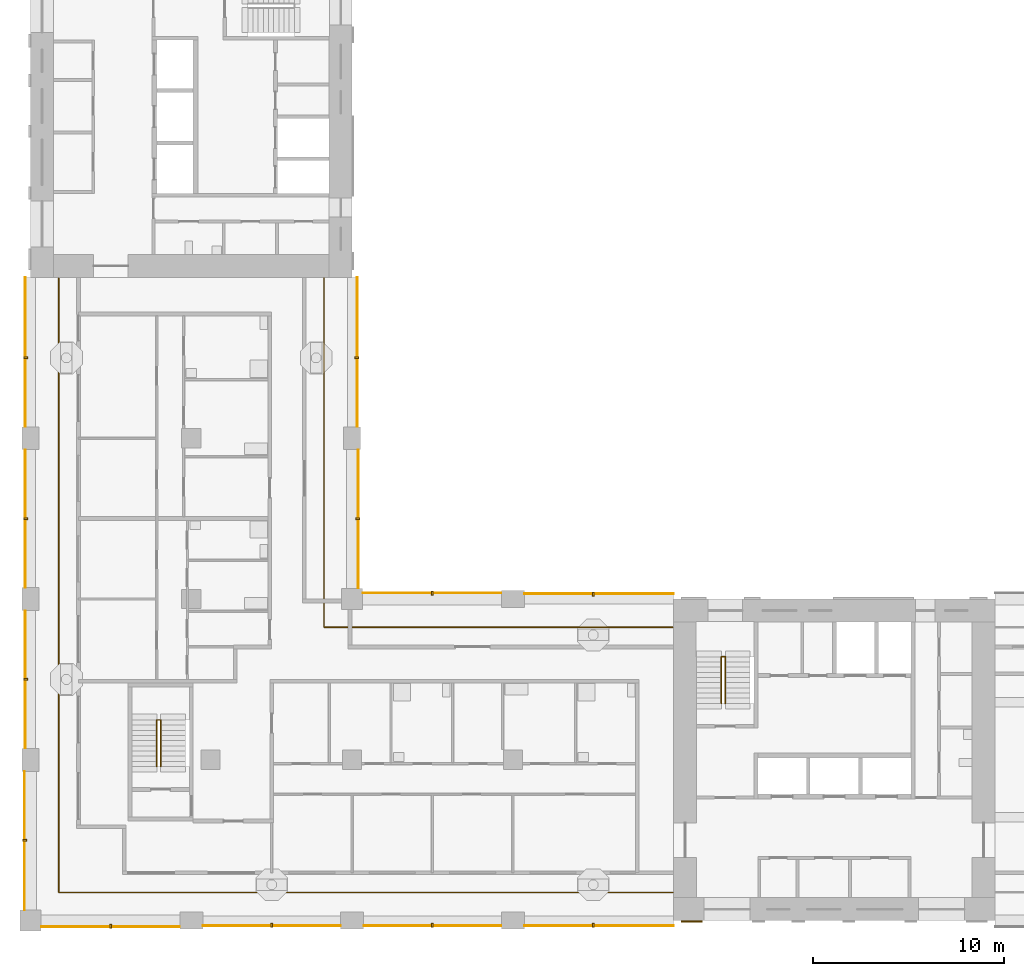
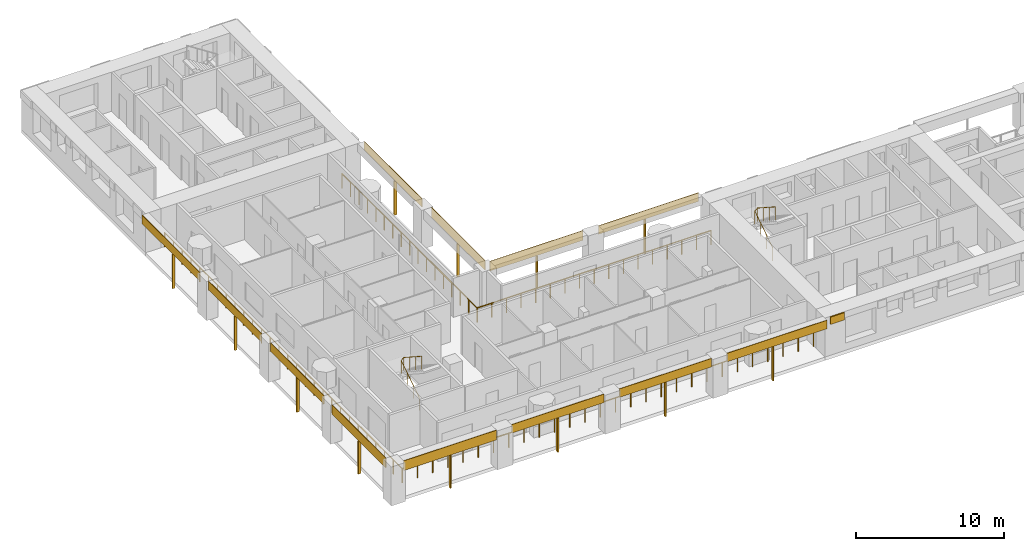
# One storey, part 8 of 13: 25 shading devices, 4 railings.
"""IFC4 building model written with IfcOpenShell, lengths in metres."""

from ifc_helpers import new_model, si_unit, direction, frame, origin, origin_2d, place, context, subcontext, project, spatial, rectangle, circle, extrude, material, layer, layer_set, material_profile, profile_set, type_object, element, save


model = new_model("IFC4")

# Units and contexts
model_context = context("Model", 3, precision=1e-05, world=origin(), true_north=direction((0.0, 1.0)))
body_context = subcontext(model_context, "Body", "Model", "MODEL_VIEW")
ifc_project = project(units=[si_unit("LENGTHUNIT", "METRE"), si_unit("AREAUNIT", "SQUARE_METRE"), si_unit("VOLUMEUNIT", "CUBIC_METRE"), si_unit("PLANEANGLEUNIT", "RADIAN"), si_unit("MASSUNIT", "GRAM", prefix="KILO")], contexts=[model_context])

# Site, building, storey
site_placement = place(None, origin())
site = spatial("IfcSite", under=ifc_project, at=site_placement, CompositionType="ELEMENT")
building_placement = place(site_placement, origin())
building = spatial("IfcBuilding", under=site, at=building_placement, Name="Vermilion Gate Residences", CompositionType="ELEMENT")
storey_placement = place(building_placement, frame((0.0, 0.0, 147.699951171875)))
storey = spatial("IfcBuildingStorey", under=building, at=storey_placement, Name="L37", CompositionType="ELEMENT", Elevation=147.699951171875)

# Railings
ifc_material_1 = material(Name="Stainless steel and toughened glass", Category="steel")
railing_type_1 = type_object("IfcRailingType", Name="LOGGIA GUARD STEEL AND GLASS 1200", PredefinedType="GUARDRAIL", material=ifc_material_1)
railing_1_placement = place(storey_placement, frame((41.97802734375, 23.72509765625, 0.0)))
element("IfcRailing", 1, at=railing_1_placement, inside=storey, type_object=railing_type_1, Name="Loggia guard", PredefinedType="GUARDRAIL", context=body_context, shape_type="SweptSolid", body=[
    extrude(circle(Radius=0.030029296875, at=origin_2d()), frame((0.0, 0.0, 1.169921875), z_axis=(-1.0, 0.0, 0.0), x_axis=(0.0, -1.0, 0.0)), (0.0, 0.0, 1.0), 18.2529296875),
    extrude(circle(Radius=0.030029296875, at=origin_2d()), frame((-18.2529296875, 0.0, 1.169921875), z_axis=(0.0, 1.0, 0.0), x_axis=(-1.0, 0.0, 0.0)), (0.0, 0.0, 1.0), 18.2529296875),
    extrude(circle(Radius=0.02490234375, at=origin_2d()), origin(), (0.0, 0.0, 1.0), 1.139892578125),
    extrude(circle(Radius=0.02490234375, at=origin_2d()), frame((-1.140869140625, 0.0, 0.0)), (0.0, 0.0, 1.0), 1.139892578125),
    extrude(circle(Radius=0.02490234375, at=origin_2d()), frame((-2.28173828125, 0.0, 0.0)), (0.0, 0.0, 1.0), 1.139892578125),
    extrude(circle(Radius=0.02490234375, at=origin_2d()), frame((-3.42236328125, 0.0, 0.0)), (0.0, 0.0, 1.0), 1.139892578125),
    extrude(circle(Radius=0.02490234375, at=origin_2d()), frame((-4.563232421875, 0.0, 0.0)), (0.0, 0.0, 1.0), 1.139892578125),
    extrude(circle(Radius=0.02490234375, at=origin_2d()), frame((-5.7041015625, 0.0, 0.0)), (0.0, 0.0, 1.0), 1.139892578125),
    extrude(circle(Radius=0.02490234375, at=origin_2d()), frame((-6.8447265625, 0.0, 0.0)), (0.0, 0.0, 1.0), 1.139892578125),
    extrude(circle(Radius=0.02490234375, at=origin_2d()), frame((-7.985595703125, 0.0, 0.0)), (0.0, 0.0, 1.0), 1.139892578125),
    extrude(circle(Radius=0.02490234375, at=origin_2d()), frame((-9.12646484375, 0.0, 0.0)), (0.0, 0.0, 1.0), 1.139892578125),
    extrude(circle(Radius=0.02490234375, at=origin_2d()), frame((-10.267333984375, 0.0, 0.0)), (0.0, 0.0, 1.0), 1.139892578125),
    extrude(circle(Radius=0.02490234375, at=origin_2d()), frame((-11.408203125, 0.0, 0.0)), (0.0, 0.0, 1.0), 1.139892578125),
    extrude(circle(Radius=0.02490234375, at=origin_2d()), frame((-12.548828125, 0.0, 0.0)), (0.0, 0.0, 1.0), 1.139892578125),
    extrude(circle(Radius=0.02490234375, at=origin_2d()), frame((-13.689697265625, 0.0, 0.0)), (0.0, 0.0, 1.0), 1.139892578125),
    extrude(circle(Radius=0.02490234375, at=origin_2d()), frame((-14.83056640625, 0.0, 0.0)), (0.0, 0.0, 1.0), 1.139892578125),
    extrude(circle(Radius=0.02490234375, at=origin_2d()), frame((-15.97119140625, 0.0, 0.0)), (0.0, 0.0, 1.0), 1.139892578125),
    extrude(circle(Radius=0.02490234375, at=origin_2d()), frame((-17.112060546875, 0.0, 0.0)), (0.0, 0.0, 1.0), 1.139892578125),
    extrude(circle(Radius=0.02490234375, at=origin_2d()), frame((-18.2529296875, 0.0, 0.0)), (0.0, 0.0, 1.0), 1.139892578125),
    extrude(circle(Radius=0.02490234375, at=origin_2d()), frame((-18.2529296875, 1.140869140625, 0.0)), (0.0, 0.0, 1.0), 1.139892578125),
    extrude(circle(Radius=0.02490234375, at=origin_2d()), frame((-18.2529296875, 2.28173828125, 0.0)), (0.0, 0.0, 1.0), 1.139892578125),
    extrude(circle(Radius=0.02490234375, at=origin_2d()), frame((-18.2529296875, 3.42236328125, 0.0)), (0.0, 0.0, 1.0), 1.139892578125),
    extrude(circle(Radius=0.02490234375, at=origin_2d()), frame((-18.2529296875, 4.563232421875, 0.0)), (0.0, 0.0, 1.0), 1.139892578125),
    extrude(circle(Radius=0.02490234375, at=origin_2d()), frame((-18.2529296875, 5.7041015625, 0.0)), (0.0, 0.0, 1.0), 1.139892578125),
    extrude(circle(Radius=0.02490234375, at=origin_2d()), frame((-18.2529296875, 6.8447265625, 0.0)), (0.0, 0.0, 1.0), 1.139892578125),
    extrude(circle(Radius=0.02490234375, at=origin_2d()), frame((-18.2529296875, 7.985595703125, 0.0)), (0.0, 0.0, 1.0), 1.139892578125),
    extrude(circle(Radius=0.02490234375, at=origin_2d()), frame((-18.2529296875, 9.12646484375, 0.0)), (0.0, 0.0, 1.0), 1.139892578125),
    extrude(circle(Radius=0.02490234375, at=origin_2d()), frame((-18.2529296875, 10.267333984375, 0.0)), (0.0, 0.0, 1.0), 1.139892578125),
    extrude(circle(Radius=0.02490234375, at=origin_2d()), frame((-18.2529296875, 11.408203125, 0.0)), (0.0, 0.0, 1.0), 1.139892578125),
    extrude(circle(Radius=0.02490234375, at=origin_2d()), frame((-18.2529296875, 12.548828125, 0.0)), (0.0, 0.0, 1.0), 1.139892578125),
    extrude(circle(Radius=0.02490234375, at=origin_2d()), frame((-18.2529296875, 13.689697265625, 0.0)), (0.0, 0.0, 1.0), 1.139892578125),
    extrude(circle(Radius=0.02490234375, at=origin_2d()), frame((-18.2529296875, 14.83056640625, 0.0)), (0.0, 0.0, 1.0), 1.139892578125),
    extrude(circle(Radius=0.02490234375, at=origin_2d()), frame((-18.2529296875, 15.97119140625, 0.0)), (0.0, 0.0, 1.0), 1.139892578125),
    extrude(circle(Radius=0.02490234375, at=origin_2d()), frame((-18.2529296875, 17.112060546875, 0.0)), (0.0, 0.0, 1.0), 1.139892578125),
    extrude(circle(Radius=0.02490234375, at=origin_2d()), frame((-18.2529296875, 18.2529296875, 0.0)), (0.0, 0.0, 1.0), 1.139892578125),
])
railing_2_placement = place(storey_placement, frame((9.875, 41.97802734375, 0.0)))
element("IfcRailing", 2, at=railing_2_placement, inside=storey, type_object=railing_type_1, Name="Loggia guard", PredefinedType="GUARDRAIL", context=body_context, shape_type="SweptSolid", body=[
    extrude(circle(Radius=0.030029296875, at=origin_2d()), frame((0.0, 0.0, 1.169921875), z_axis=(0.0, -1.0, 0.0), x_axis=(1.0, 0.0, 0.0)), (0.0, 0.0, 1.0), 32.10302734375),
    extrude(circle(Radius=0.030029296875, at=origin_2d()), frame((0.0, -32.10302734375, 1.169921875), z_axis=(1.0, 0.0, 0.0), x_axis=(0.0, 1.0, 0.0)), (0.0, 0.0, 1.0), 32.10302734375),
    extrude(circle(Radius=0.02490234375, at=origin_2d()), origin(), (0.0, 0.0, 1.0), 1.139892578125),
    extrude(circle(Radius=0.02490234375, at=origin_2d()), frame((0.0, -1.18896484375, 0.0)), (0.0, 0.0, 1.0), 1.139892578125),
    extrude(circle(Radius=0.02490234375, at=origin_2d()), frame((0.0, -2.3779296875, 0.0)), (0.0, 0.0, 1.0), 1.139892578125),
    extrude(circle(Radius=0.02490234375, at=origin_2d()), frame((0.0, -3.56689453125, 0.0)), (0.0, 0.0, 1.0), 1.139892578125),
    extrude(circle(Radius=0.02490234375, at=origin_2d()), frame((0.0, -4.756103515625, 0.0)), (0.0, 0.0, 1.0), 1.139892578125),
    extrude(circle(Radius=0.02490234375, at=origin_2d()), frame((0.0, -5.945068359375, 0.0)), (0.0, 0.0, 1.0), 1.139892578125),
    extrude(circle(Radius=0.02490234375, at=origin_2d()), frame((0.0, -7.134033203125, 0.0)), (0.0, 0.0, 1.0), 1.139892578125),
    extrude(circle(Radius=0.02490234375, at=origin_2d()), frame((0.0, -8.322998046875, 0.0)), (0.0, 0.0, 1.0), 1.139892578125),
    extrude(circle(Radius=0.02490234375, at=origin_2d()), frame((0.0, -9.511962890625, 0.0)), (0.0, 0.0, 1.0), 1.139892578125),
    extrude(circle(Radius=0.02490234375, at=origin_2d()), frame((0.0, -10.700927734375, 0.0)), (0.0, 0.0, 1.0), 1.139892578125),
    extrude(circle(Radius=0.02490234375, at=origin_2d()), frame((0.0, -11.889892578125, 0.0)), (0.0, 0.0, 1.0), 1.139892578125),
    extrude(circle(Radius=0.02490234375, at=origin_2d()), frame((0.0, -13.0791015625, 0.0)), (0.0, 0.0, 1.0), 1.139892578125),
    extrude(circle(Radius=0.02490234375, at=origin_2d()), frame((0.0, -14.26806640625, 0.0)), (0.0, 0.0, 1.0), 1.139892578125),
    extrude(circle(Radius=0.02490234375, at=origin_2d()), frame((0.0, -15.45703125, 0.0)), (0.0, 0.0, 1.0), 1.139892578125),
    extrude(circle(Radius=0.02490234375, at=origin_2d()), frame((0.0, -16.64599609375, 0.0)), (0.0, 0.0, 1.0), 1.139892578125),
    extrude(circle(Radius=0.02490234375, at=origin_2d()), frame((0.0, -17.8349609375, 0.0)), (0.0, 0.0, 1.0), 1.139892578125),
    extrude(circle(Radius=0.02490234375, at=origin_2d()), frame((0.0, -19.02392578125, 0.0)), (0.0, 0.0, 1.0), 1.139892578125),
    extrude(circle(Radius=0.02490234375, at=origin_2d()), frame((0.0, -20.213134765625, 0.0)), (0.0, 0.0, 1.0), 1.139892578125),
    extrude(circle(Radius=0.02490234375, at=origin_2d()), frame((0.0, -21.402099609375, 0.0)), (0.0, 0.0, 1.0), 1.139892578125),
    extrude(circle(Radius=0.02490234375, at=origin_2d()), frame((0.0, -22.591064453125, 0.0)), (0.0, 0.0, 1.0), 1.139892578125),
    extrude(circle(Radius=0.02490234375, at=origin_2d()), frame((0.0, -23.780029296875, 0.0)), (0.0, 0.0, 1.0), 1.139892578125),
    extrude(circle(Radius=0.02490234375, at=origin_2d()), frame((0.0, -24.968994140625, 0.0)), (0.0, 0.0, 1.0), 1.139892578125),
    extrude(circle(Radius=0.02490234375, at=origin_2d()), frame((0.0, -26.157958984375, 0.0)), (0.0, 0.0, 1.0), 1.139892578125),
    extrude(circle(Radius=0.02490234375, at=origin_2d()), frame((0.0, -27.346923828125, 0.0)), (0.0, 0.0, 1.0), 1.139892578125),
    extrude(circle(Radius=0.02490234375, at=origin_2d()), frame((0.0, -28.5361328125, 0.0)), (0.0, 0.0, 1.0), 1.139892578125),
    extrude(circle(Radius=0.02490234375, at=origin_2d()), frame((0.0, -29.72509765625, 0.0)), (0.0, 0.0, 1.0), 1.139892578125),
    extrude(circle(Radius=0.02490234375, at=origin_2d()), frame((0.0, -30.9140625, 0.0)), (0.0, 0.0, 1.0), 1.139892578125),
    extrude(circle(Radius=0.02490234375, at=origin_2d()), frame((0.0, -32.10302734375, 0.0)), (0.0, 0.0, 1.0), 1.139892578125),
    extrude(circle(Radius=0.02490234375, at=origin_2d()), frame((1.18896484375, -32.10302734375, 0.0)), (0.0, 0.0, 1.0), 1.139892578125),
    extrude(circle(Radius=0.02490234375, at=origin_2d()), frame((2.3779296875, -32.10302734375, 0.0)), (0.0, 0.0, 1.0), 1.139892578125),
    extrude(circle(Radius=0.02490234375, at=origin_2d()), frame((3.56689453125, -32.10302734375, 0.0)), (0.0, 0.0, 1.0), 1.139892578125),
    extrude(circle(Radius=0.02490234375, at=origin_2d()), frame((4.756103515625, -32.10302734375, 0.0)), (0.0, 0.0, 1.0), 1.139892578125),
    extrude(circle(Radius=0.02490234375, at=origin_2d()), frame((5.945068359375, -32.10302734375, 0.0)), (0.0, 0.0, 1.0), 1.139892578125),
    extrude(circle(Radius=0.02490234375, at=origin_2d()), frame((7.134033203125, -32.10302734375, 0.0)), (0.0, 0.0, 1.0), 1.139892578125),
    extrude(circle(Radius=0.02490234375, at=origin_2d()), frame((8.322998046875, -32.10302734375, 0.0)), (0.0, 0.0, 1.0), 1.139892578125),
    extrude(circle(Radius=0.02490234375, at=origin_2d()), frame((9.511962890625, -32.10302734375, 0.0)), (0.0, 0.0, 1.0), 1.139892578125),
    extrude(circle(Radius=0.02490234375, at=origin_2d()), frame((10.700927734375, -32.10302734375, 0.0)), (0.0, 0.0, 1.0), 1.139892578125),
    extrude(circle(Radius=0.02490234375, at=origin_2d()), frame((11.889892578125, -32.10302734375, 0.0)), (0.0, 0.0, 1.0), 1.139892578125),
    extrude(circle(Radius=0.02490234375, at=origin_2d()), frame((13.0791015625, -32.10302734375, 0.0)), (0.0, 0.0, 1.0), 1.139892578125),
    extrude(circle(Radius=0.02490234375, at=origin_2d()), frame((14.26806640625, -32.10302734375, 0.0)), (0.0, 0.0, 1.0), 1.139892578125),
    extrude(circle(Radius=0.02490234375, at=origin_2d()), frame((15.45703125, -32.10302734375, 0.0)), (0.0, 0.0, 1.0), 1.139892578125),
    extrude(circle(Radius=0.02490234375, at=origin_2d()), frame((16.64599609375, -32.10302734375, 0.0)), (0.0, 0.0, 1.0), 1.139892578125),
    extrude(circle(Radius=0.02490234375, at=origin_2d()), frame((17.8349609375, -32.10302734375, 0.0)), (0.0, 0.0, 1.0), 1.139892578125),
    extrude(circle(Radius=0.02490234375, at=origin_2d()), frame((19.02392578125, -32.10302734375, 0.0)), (0.0, 0.0, 1.0), 1.139892578125),
    extrude(circle(Radius=0.02490234375, at=origin_2d()), frame((20.213134765625, -32.10302734375, 0.0)), (0.0, 0.0, 1.0), 1.139892578125),
    extrude(circle(Radius=0.02490234375, at=origin_2d()), frame((21.402099609375, -32.10302734375, 0.0)), (0.0, 0.0, 1.0), 1.139892578125),
    extrude(circle(Radius=0.02490234375, at=origin_2d()), frame((22.591064453125, -32.10302734375, 0.0)), (0.0, 0.0, 1.0), 1.139892578125),
    extrude(circle(Radius=0.02490234375, at=origin_2d()), frame((23.780029296875, -32.10302734375, 0.0)), (0.0, 0.0, 1.0), 1.139892578125),
    extrude(circle(Radius=0.02490234375, at=origin_2d()), frame((24.968994140625, -32.10302734375, 0.0)), (0.0, 0.0, 1.0), 1.139892578125),
    extrude(circle(Radius=0.02490234375, at=origin_2d()), frame((26.157958984375, -32.10302734375, 0.0)), (0.0, 0.0, 1.0), 1.139892578125),
    extrude(circle(Radius=0.02490234375, at=origin_2d()), frame((27.346923828125, -32.10302734375, 0.0)), (0.0, 0.0, 1.0), 1.139892578125),
    extrude(circle(Radius=0.02490234375, at=origin_2d()), frame((28.5361328125, -32.10302734375, 0.0)), (0.0, 0.0, 1.0), 1.139892578125),
    extrude(circle(Radius=0.02490234375, at=origin_2d()), frame((29.72509765625, -32.10302734375, 0.0)), (0.0, 0.0, 1.0), 1.139892578125),
    extrude(circle(Radius=0.02490234375, at=origin_2d()), frame((30.9140625, -32.10302734375, 0.0)), (0.0, 0.0, 1.0), 1.139892578125),
    extrude(circle(Radius=0.02490234375, at=origin_2d()), frame((32.10302734375, -32.10302734375, 0.0)), (0.0, 0.0, 1.0), 1.139892578125),
])

# Shading devices
ifc_material_2 = material(Name="Perforated terracotta", Category="masonry")
ifc_layer_1 = layer(ifc_material_2, 0.0400390625)
ifc_layer_set_1 = layer_set([ifc_layer_1], Name="PERFORATED TERRACOTTA SCREEN 40")
shading_device_type_1 = type_object("IfcShadingDeviceType", Name="PERFORATED TERRACOTTA SCREEN 40", PredefinedType="SHUTTER", material=ifc_layer_set_1)
shading_device_1_placement = place(storey_placement, frame((12.574951171875, 8.080078125, 2.419921875), z_axis=(0.0, 0.0, 1.0), x_axis=(1.0, 0.0, 0.0)))
element("IfcShadingDevice", 3, at=shading_device_1_placement, inside=storey, type_object=shading_device_type_1, Name="SCREEN", PredefinedType="SHUTTER", context=body_context, shape_type="SweptSolid", body=[
    extrude(rectangle(XDim=7.25, YDim=0.0400390625, at=origin_2d()), origin(), (0.0, 0.0, 1.0), 0.800048828125),
])
for number, where, z_axis, x_axis, name in (
    (4, (21.0, 8.1298828125, 2.52001953125), (0.0, 0.0, 1.0), (1.0, 0.0, 0.0), "SCREEN"),
    (5, (29.39990234375, 8.1298828125, 2.52001953125), (0.0, 0.0, 1.0), (1.0, 0.0, 0.0), "SCREEN"),
):
    element("IfcShadingDevice", number, at=place(storey_placement, frame(where, z_axis=z_axis, x_axis=x_axis)), inside=storey, type_object=shading_device_type_1, Name=name, PredefinedType="SHUTTER", context=body_context, shape_type="SweptSolid", body=[
        extrude(rectangle(XDim=7.199951171875, YDim=0.0400390625, at=origin_2d()), origin(), (0.0, 0.0, 1.0), 0.699951171875),
    ])
shading_device_2_placement = place(storey_placement, frame((38.10009765625, 8.1298828125, 2.52001953125), z_axis=(0.0, 0.0, 1.0), x_axis=(1.0, 0.0, 0.0)))
element("IfcShadingDevice", 6, at=shading_device_2_placement, inside=storey, type_object=shading_device_type_1, Name="SCREEN", PredefinedType="SHUTTER", context=body_context, shape_type="SweptSolid", body=[
    extrude(rectangle(XDim=7.800048828125, YDim=0.0400390625, at=origin_2d()), origin(), (0.0, 0.0, 1.0), 0.699951171875),
])
shading_device_3_placement = place(storey_placement, frame((29.375, 25.52001953125, 2.419921875), z_axis=(0.0, 0.0, 1.0), x_axis=(-1.0, 0.0, 0.0)))
element("IfcShadingDevice", 7, at=shading_device_3_placement, inside=storey, type_object=shading_device_type_1, Name="SCREEN", PredefinedType="SHUTTER", context=body_context, shape_type="SweptSolid", body=[
    extrude(rectangle(XDim=7.25, YDim=0.0400390625, at=origin_2d()), origin(), (0.0, 0.0, 1.0), 0.800048828125),
])
shading_device_4_placement = place(storey_placement, frame((38.10009765625, 25.469970703125, 2.52001953125), z_axis=(0.0, 0.0, 1.0), x_axis=(-1.0, 0.0, 0.0)))
element("IfcShadingDevice", 8, at=shading_device_4_placement, inside=storey, type_object=shading_device_type_1, Name="SCREEN", PredefinedType="SHUTTER", context=body_context, shape_type="SweptSolid", body=[
    extrude(rectangle(XDim=7.800048828125, YDim=0.0400390625, at=origin_2d()), origin(), (0.0, 0.0, 1.0), 0.699951171875),
])
shading_device_5_placement = place(storey_placement, frame((25.52001953125, 29.375, 2.419921875), z_axis=(0.0, 0.0, 1.0), x_axis=(0.0, 1.0, 0.0)))
element("IfcShadingDevice", 9, at=shading_device_5_placement, inside=storey, type_object=shading_device_type_1, Name="SCREEN", PredefinedType="SHUTTER", context=body_context, shape_type="SweptSolid", body=[
    extrude(rectangle(XDim=7.25, YDim=0.0400390625, at=origin_2d()), origin(), (0.0, 0.0, 1.0), 0.800048828125),
])
shading_device_6_placement = place(storey_placement, frame((25.469970703125, 38.10009765625, 2.52001953125), z_axis=(0.0, 0.0, 1.0), x_axis=(0.0, 1.0, 0.0)))
element("IfcShadingDevice", 10, at=shading_device_6_placement, inside=storey, type_object=shading_device_type_1, Name="SCREEN", PredefinedType="SHUTTER", context=body_context, shape_type="SweptSolid", body=[
    extrude(rectangle(XDim=7.800048828125, YDim=0.0400390625, at=origin_2d()), origin(), (0.0, 0.0, 1.0), 0.699951171875),
])
shading_device_7_placement = place(storey_placement, frame((8.080078125, 12.574951171875, 2.419921875), z_axis=(0.0, 0.0, 1.0), x_axis=(0.0, -1.0, 0.0)))
element("IfcShadingDevice", 11, at=shading_device_7_placement, inside=storey, type_object=shading_device_type_1, Name="SCREEN", PredefinedType="SHUTTER", context=body_context, shape_type="SweptSolid", body=[
    extrude(rectangle(XDim=7.25, YDim=0.0400390625, at=origin_2d()), origin(), (0.0, 0.0, 1.0), 0.800048828125),
])
for number, where, z_axis, x_axis, name in (
    (12, (8.1298828125, 21.0, 2.52001953125), (0.0, 0.0, 1.0), (0.0, -1.0, 0.0), "SCREEN"),
    (13, (8.1298828125, 29.39990234375, 2.52001953125), (0.0, 0.0, 1.0), (0.0, -1.0, 0.0), "SCREEN"),
):
    element("IfcShadingDevice", number, at=place(storey_placement, frame(where, z_axis=z_axis, x_axis=x_axis)), inside=storey, type_object=shading_device_type_1, Name=name, PredefinedType="SHUTTER", context=body_context, shape_type="SweptSolid", body=[
        extrude(rectangle(XDim=7.199951171875, YDim=0.0400390625, at=origin_2d()), origin(), (0.0, 0.0, 1.0), 0.699951171875),
    ])
shading_device_8_placement = place(storey_placement, frame((8.1298828125, 38.10009765625, 2.52001953125), z_axis=(0.0, 0.0, 1.0), x_axis=(0.0, -1.0, 0.0)))
element("IfcShadingDevice", 14, at=shading_device_8_placement, inside=storey, type_object=shading_device_type_1, Name="SCREEN", PredefinedType="SHUTTER", context=body_context, shape_type="SweptSolid", body=[
    extrude(rectangle(XDim=7.800048828125, YDim=0.0400390625, at=origin_2d()), origin(), (0.0, 0.0, 1.0), 0.699951171875),
])

# Railings
ifc_material_3 = material(Name="Steel S355", Category="steel")
railing_type_2 = type_object("IfcRailingType", Name="STAIR GUARD 1100 STEEL", PredefinedType="GUARDRAIL", material=ifc_material_3)
for number, where, name in (
    (15, (44.5, 19.75, 0.175048828125), "Stair well guard STA1-37"),
    (16, (15.0, 16.449951171875, 0.175048828125), "Stair well guard STC1-37"),
):
    element("IfcRailing", number, at=place(storey_placement, frame(where)), inside=storey, type_object=railing_type_2, Name=name, PredefinedType="GUARDRAIL", context=body_context, shape_type="SweptSolid", body=[
        extrude(circle(Radius=0.02392578125, at=origin_2d()), frame((0.0, 0.0, 1.076171875), z_axis=(0.0, 0.839153699163, 0.543894354798), x_axis=(-1.0, 0.0, 0.0)), (0.0, 0.0, 1.0), 2.895751953125),
        extrude(circle(Radius=0.02392578125, at=origin_2d()), frame((0.0, 2.429931640625, 2.65087890625), z_axis=(0.752405939678, 0.0, 0.658699705433), x_axis=(0.0, 1.0, 0.0)), (0.0, 0.0, 1.0), 0.265869140625),
        extrude(circle(Radius=0.02392578125, at=origin_2d()), frame((0.199951171875, 2.429931640625, 2.826171875), z_axis=(0.0, -0.839153699163, 0.543894354798), x_axis=(1.0, 0.0, 0.0)), (0.0, 0.0, 1.0), 2.895751953125),
        extrude(circle(Radius=0.02099609375, at=origin_2d()), origin(), (0.0, 0.0, 1.0), 1.052001953125),
        extrude(circle(Radius=0.02099609375, at=origin_2d()), frame((0.0, 0.81005859375, 0.52490234375)), (0.0, 0.0, 1.0), 1.052001953125),
        extrude(circle(Radius=0.02099609375, at=origin_2d()), frame((0.0, 1.619873046875, 1.050048828125)), (0.0, 0.0, 1.0), 1.052001953125),
        extrude(circle(Radius=0.02099609375, at=origin_2d()), frame((0.0, 2.429931640625, 1.574951171875)), (0.0, 0.0, 1.0), 1.052001953125),
        extrude(circle(Radius=0.02099609375, at=origin_2d()), frame((0.199951171875, 2.429931640625, 1.75)), (0.0, 0.0, 1.0), 1.052001953125),
        extrude(circle(Radius=0.02099609375, at=origin_2d()), frame((0.199951171875, 1.619873046875, 2.27490234375)), (0.0, 0.0, 1.0), 1.052001953125),
        extrude(circle(Radius=0.02099609375, at=origin_2d()), frame((0.199951171875, 0.81005859375, 2.800048828125)), (0.0, 0.0, 1.0), 1.052001953125),
        extrude(circle(Radius=0.02099609375, at=origin_2d()), frame((0.199951171875, 0.0, 3.324951171875)), (0.0, 0.0, 1.0), 1.052001953125),
    ])

# Shading devices
ifc_material_4 = material(Name="Extruded terracotta", Category="masonry")
ifc_material_profile = material_profile(ifc_material_4, rectangle(XDim=0.199951171875, YDim=0.10009765625, at=origin_2d()), Name="BAGUETTE 100 X 200")
ifc_profile_set = profile_set([ifc_material_profile], Name="Extruded terracotta")
shading_device_type_2 = type_object("IfcShadingDeviceType", Name="TERRACOTTA BAGUETTE 100 X 200", PredefinedType="JALOUSIE", material=ifc_profile_set)
shading_device_9_placement = place(storey_placement, frame((12.60009765625, 8.10009765625, -0.280029296875), z_axis=(0.0, 0.0, 1.0), x_axis=(0.0, 1.0, 0.0)))
element("IfcShadingDevice", 17, at=shading_device_9_placement, inside=storey, type_object=shading_device_type_2, Name="BAGUETTE", PredefinedType="JALOUSIE", context=body_context, shape_type="SweptSolid", body=[
    extrude(rectangle(XDim=0.199951171875, YDim=0.10009765625, at=origin_2d()), origin(), (0.0, 0.0, 1.0), 2.7001953125),
])
for number, where, z_axis, x_axis, name in (
    (18, (21.0, 8.14990234375, -0.280029296875), (0.0, 0.0, 1.0), (0.0, 1.0, 0.0), "BAGUETTE"),
    (19, (29.39990234375, 8.14990234375, -0.280029296875), (0.0, 0.0, 1.0), (0.0, 1.0, 0.0), "BAGUETTE"),
    (20, (37.800048828125, 8.14990234375, -0.280029296875), (0.0, 0.0, 1.0), (0.0, 1.0, 0.0), "BAGUETTE"),
):
    element("IfcShadingDevice", number, at=place(storey_placement, frame(where, z_axis=z_axis, x_axis=x_axis)), inside=storey, type_object=shading_device_type_2, Name=name, PredefinedType="JALOUSIE", context=body_context, shape_type="SweptSolid", body=[
        extrude(rectangle(XDim=0.199951171875, YDim=0.10009765625, at=origin_2d()), origin(), (0.0, 0.0, 1.0), 2.800048828125),
    ])
shading_device_10_placement = place(storey_placement, frame((29.39990234375, 25.5, -0.280029296875), z_axis=(0.0, 0.0, 1.0), x_axis=(0.0, -1.0, 0.0)))
element("IfcShadingDevice", 21, at=shading_device_10_placement, inside=storey, type_object=shading_device_type_2, Name="BAGUETTE", PredefinedType="JALOUSIE", context=body_context, shape_type="SweptSolid", body=[
    extrude(rectangle(XDim=0.199951171875, YDim=0.10009765625, at=origin_2d()), origin(), (0.0, 0.0, 1.0), 2.7001953125),
])
shading_device_11_placement = place(storey_placement, frame((37.800048828125, 25.449951171875, -0.280029296875), z_axis=(0.0, 0.0, 1.0), x_axis=(0.0, -1.0, 0.0)))
element("IfcShadingDevice", 22, at=shading_device_11_placement, inside=storey, type_object=shading_device_type_2, Name="BAGUETTE", PredefinedType="JALOUSIE", context=body_context, shape_type="SweptSolid", body=[
    extrude(rectangle(XDim=0.199951171875, YDim=0.10009765625, at=origin_2d()), origin(), (0.0, 0.0, 1.0), 2.800048828125),
])
shading_device_12_placement = place(storey_placement, frame((25.5, 29.39990234375, -0.280029296875), z_axis=(0.0, 0.0, 1.0), x_axis=(-1.0, 0.0, 0.0)))
element("IfcShadingDevice", 23, at=shading_device_12_placement, inside=storey, type_object=shading_device_type_2, Name="BAGUETTE", PredefinedType="JALOUSIE", context=body_context, shape_type="SweptSolid", body=[
    extrude(rectangle(XDim=0.199951171875, YDim=0.10009765625, at=origin_2d()), origin(), (0.0, 0.0, 1.0), 2.7001953125),
])
shading_device_13_placement = place(storey_placement, frame((25.449951171875, 37.800048828125, -0.280029296875), z_axis=(0.0, 0.0, 1.0), x_axis=(-1.0, 0.0, 0.0)))
element("IfcShadingDevice", 24, at=shading_device_13_placement, inside=storey, type_object=shading_device_type_2, Name="BAGUETTE", PredefinedType="JALOUSIE", context=body_context, shape_type="SweptSolid", body=[
    extrude(rectangle(XDim=0.199951171875, YDim=0.10009765625, at=origin_2d()), origin(), (0.0, 0.0, 1.0), 2.800048828125),
])
shading_device_14_placement = place(storey_placement, frame((8.10009765625, 12.60009765625, -0.280029296875), z_axis=(0.0, 0.0, 1.0), x_axis=(1.0, 0.0, 0.0)))
element("IfcShadingDevice", 25, at=shading_device_14_placement, inside=storey, type_object=shading_device_type_2, Name="BAGUETTE", PredefinedType="JALOUSIE", context=body_context, shape_type="SweptSolid", body=[
    extrude(rectangle(XDim=0.199951171875, YDim=0.10009765625, at=origin_2d()), origin(), (0.0, 0.0, 1.0), 2.7001953125),
])
for number, where, z_axis, x_axis, name in (
    (26, (8.14990234375, 21.0, -0.280029296875), (0.0, 0.0, 1.0), (1.0, 0.0, 0.0), "BAGUETTE"),
    (27, (8.14990234375, 29.39990234375, -0.280029296875), (0.0, 0.0, 1.0), (1.0, 0.0, 0.0), "BAGUETTE"),
    (28, (8.14990234375, 37.800048828125, -0.280029296875), (0.0, 0.0, 1.0), (1.0, 0.0, 0.0), "BAGUETTE"),
):
    element("IfcShadingDevice", number, at=place(storey_placement, frame(where, z_axis=z_axis, x_axis=x_axis)), inside=storey, type_object=shading_device_type_2, Name=name, PredefinedType="JALOUSIE", context=body_context, shape_type="SweptSolid", body=[
        extrude(rectangle(XDim=0.199951171875, YDim=0.10009765625, at=origin_2d()), origin(), (0.0, 0.0, 1.0), 2.800048828125),
    ])
ifc_material_5 = material(Name="Extruded terracotta", Category="masonry")
ifc_layer_2 = layer(ifc_material_5, 0.10009765625)
ifc_layer_set_2 = layer_set([ifc_layer_2], Name="TERRACOTTA SPANDREL BAND 600 X 100")
shading_device_type_3 = type_object("IfcShadingDeviceType", Name="TERRACOTTA SPANDREL BAND 600 X 100", PredefinedType="USERDEFINED", material=ifc_layer_set_2)
shading_device_15_placement = place(storey_placement, frame((42.949951171875, 8.35009765625, 2.6201171875), z_axis=(0.0, 0.0, 1.0), x_axis=(1.0, 0.0, 0.0)))
element("IfcShadingDevice", 29, at=shading_device_15_placement, inside=storey, type_object=shading_device_type_3, Name="SPANDREL BAND", ObjectType="BAND", PredefinedType="USERDEFINED", context=body_context, shape_type="SweptSolid", body=[
    extrude(rectangle(XDim=1.10009765625, YDim=0.10009765625, at=origin_2d()), origin(), (0.0, 0.0, 1.0), 0.60009765625),
])

save(model, "model.ifc")
